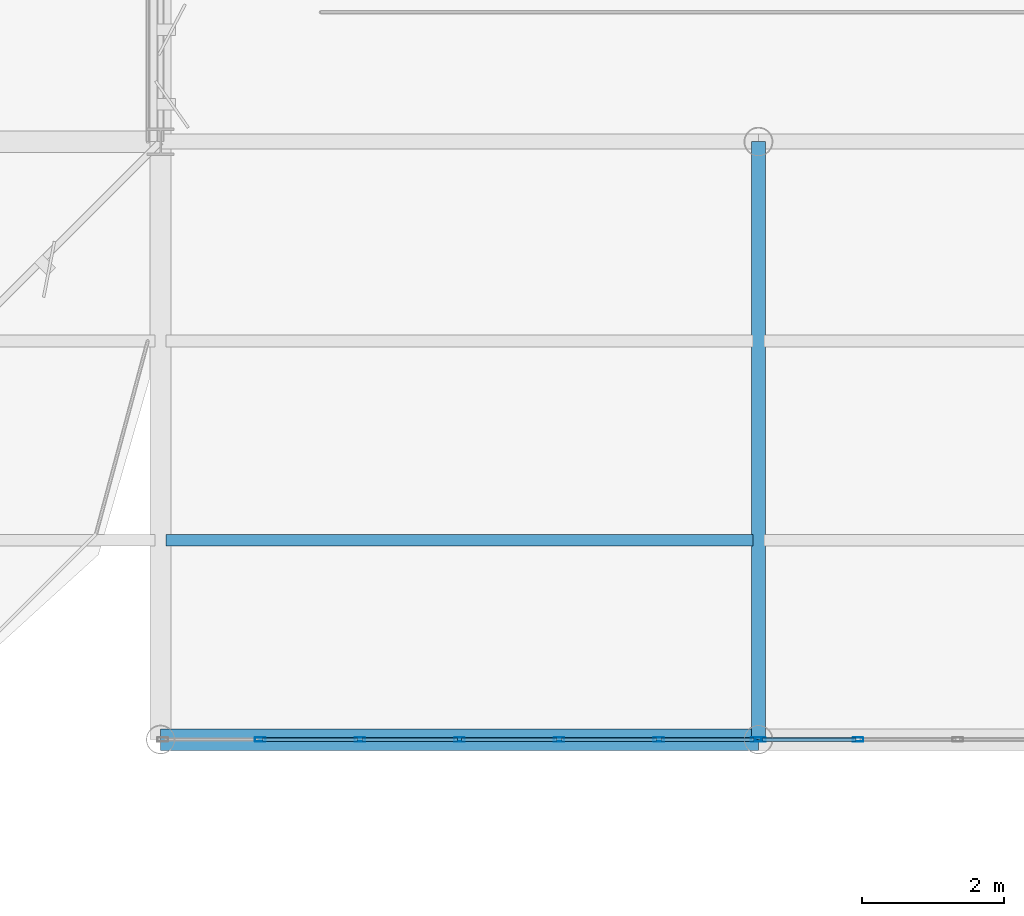
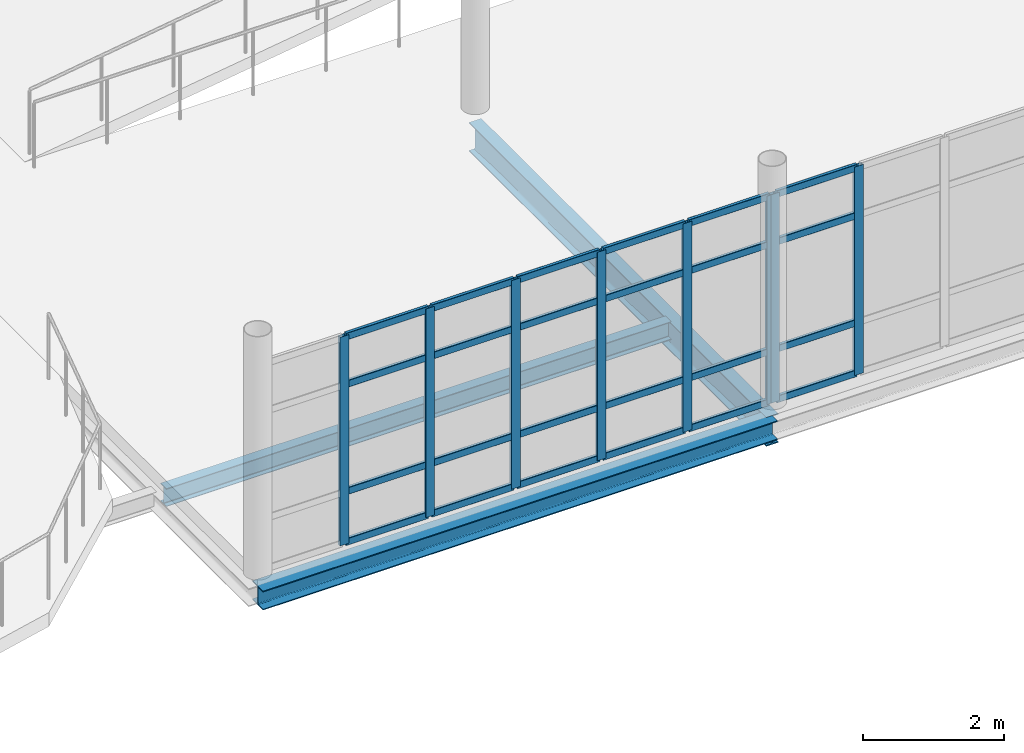
# One storey, part 108 of 163: 32 members, 3 beams, 2 elements without a shape of their own.
"""IFC4 building model written with IfcOpenShell, lengths in metres."""

from ifc_helpers import new_model, si_unit, direction, frame, origin, origin_2d, place, context, subcontext, project, spatial, hollow_rectangle, i_section, extrude, material, layer, layer_set, material_profile, profile_set, type_object, element, aggregate, save


model = new_model("IFC4")

# Units and contexts
model_context = context("Model", 3, precision=1e-05, world=origin(), true_north=direction((0.0, 1.0)))
body_context = subcontext(model_context, "Body", "Model", "MODEL_VIEW")
ifc_project = project(units=[si_unit("LENGTHUNIT", "METRE"), si_unit("AREAUNIT", "SQUARE_METRE"), si_unit("VOLUMEUNIT", "CUBIC_METRE"), si_unit("PLANEANGLEUNIT", "RADIAN"), si_unit("MASSUNIT", "GRAM", prefix="KILO")], contexts=[model_context])

# Site, building, storey
site_placement = place(None, origin())
site = spatial("IfcSite", under=ifc_project, at=site_placement, CompositionType="ELEMENT")
building_placement = place(site_placement, origin())
building = spatial("IfcBuilding", under=site, at=building_placement, Name="Qalvenar Corner Mobility Hub", CompositionType="ELEMENT")
storey_placement = place(building_placement, frame((0.0, 0.0, 4.800048828125)))
storey = spatial("IfcBuildingStorey", under=building, at=storey_placement, Name="L01", CompositionType="ELEMENT", Elevation=4.800048828125)

# Beams
ifc_material_1 = material(Name="Steel S355", Category="steel")
ifc_material_profile_1 = material_profile(ifc_material_1, i_section(OverallWidth=0.199951171875, OverallDepth=0.5, WebThickness=0.01025390625, FlangeThickness=0.01611328125, FilletRadius=0.02099609375, at=origin_2d()), Name="IPE500")
ifc_profile_set_1 = profile_set([ifc_material_profile_1], Name="Steel S355")
beam_type_1 = type_object("IfcBeamType", Name="BM-IPE500", PredefinedType="BEAM", material=ifc_profile_set_1)
beam_1_placement = place(storey_placement, frame((151.199951171875, 67.199951171875, -0.489990234375), z_axis=(0.0, 1.0, 0.0), x_axis=(-1.0, 0.0, 0.0)))
element("IfcBeam", 1, at=beam_1_placement, inside=storey, type_object=beam_type_1, Name="Primary Steel Girder GY-1484", PredefinedType="BEAM", context=body_context, shape_type="SweptSolid", body=[
    extrude(i_section(OverallWidth=0.199951171875, OverallDepth=0.5, WebThickness=0.01025390625, FlangeThickness=0.01611328125, FilletRadius=0.02099609375, at=origin_2d()), origin(), (0.0, 0.0, 1.0), 8.400146484375),
])
ifc_material_profile_2 = material_profile(ifc_material_1, i_section(OverallWidth=0.1650390625, OverallDepth=0.31005859375, WebThickness=0.005859375, FlangeThickness=0.009765625, FilletRadius=0.011962890625, at=origin_2d()), Name="W310x38.7")
ifc_profile_set_2 = profile_set([ifc_material_profile_2], Name="Steel S355")
beam_type_2 = type_object("IfcBeamType", Name="BM-JST310", PredefinedType="JOIST", material=ifc_profile_set_2)
beam_2_placement = place(storey_placement, frame((142.8779296875, 70.0, -0.39501953125), z_axis=(1.0, 0.0, 0.0), x_axis=(0.0, 1.0, 0.0)))
element("IfcBeam", 2, at=beam_2_placement, inside=storey, type_object=beam_type_2, Name="Composite Floor Joist J-1502", PredefinedType="JOIST", context=body_context, shape_type="SweptSolid", body=[
    extrude(i_section(OverallWidth=0.1650390625, OverallDepth=0.31005859375, WebThickness=0.005859375, FlangeThickness=0.009765625, FilletRadius=0.011962890625, at=origin_2d()), origin(), (0.0, 0.0, 1.0), 8.244140625),
])
ifc_material_profile_3 = material_profile(ifc_material_1, i_section(OverallWidth=0.300048828125, OverallDepth=0.330078125, WebThickness=0.009521484375, FlangeThickness=0.0166015625, FilletRadius=0.027099609375, at=origin_2d()), Name="HEA340")
ifc_profile_set_3 = profile_set([ifc_material_profile_3], Name="Steel S355")
beam_type_3 = type_object("IfcBeamType", Name="BM-SPN340", PredefinedType="SPANDREL", material=ifc_profile_set_3)
beam_3_placement = place(storey_placement, frame((142.800048828125, 67.199951171875, -0.405029296875), z_axis=(1.0, 0.0, 0.0), x_axis=(0.0, 1.0, 0.0)))
element("IfcBeam", 3, at=beam_3_placement, inside=storey, type_object=beam_type_3, Name="Primary Steel Girder GX-1466", PredefinedType="SPANDREL", context=body_context, shape_type="SweptSolid", body=[
    extrude(i_section(OverallWidth=0.300048828125, OverallDepth=0.330078125, WebThickness=0.009521484375, FlangeThickness=0.0166015625, FilletRadius=0.027099609375, at=origin_2d()), origin(), (0.0, 0.0, 1.0), 8.39990234375),
])

# Curtain wall, members
ifc_material_2 = material(Name="Anodised Aluminium and Low-E Glazing", Category="aluminium")
ifc_layer = layer(ifc_material_2, 0.1201171875)
ifc_layer_set = layer_set([ifc_layer], Name="Anodised Aluminium and Low-E Glazing")
curtain_wall_type = type_object("IfcCurtainWallType", Name="CW-STR-42X40", PredefinedType="NOTDEFINED", material=ifc_layer_set)
curtain_wall_1_placement = place(storey_placement, origin())
curtain_wall_1 = element("IfcCurtainWall", 4, at=curtain_wall_1_placement, inside=storey, type_object=curtain_wall_type, Name="Glazed Curtain Wall CW-V2-L01-S0", PredefinedType="NOTDEFINED")
ifc_material_3 = material(Name="Anodised Aluminium 6063-T6", Category="aluminium")
ifc_material_profile_4 = material_profile(ifc_material_3, hollow_rectangle(XDim=0.06005859375, YDim=0.14990234375, WallThickness=0.00390625, InnerFilletRadius=0.00390625, OuterFilletRadius=0.008056640625, at=origin_2d()), Name="RHS150x60x4")
ifc_profile_set_4 = profile_set([ifc_material_profile_4], Name="Anodised Aluminium 6063-T6")
member_type_1 = type_object("IfcMemberType", Name="CW-MUL150", PredefinedType="MULLION", material=ifc_profile_set_4)
member_1_placement = place(storey_placement, frame((144.199951171875, 67.199951171875, 0.0), z_axis=(0.0, 0.0, 1.0), x_axis=(0.0, 1.0, 0.0)))
member_1 = element("IfcMember", 5, at=member_1_placement, type_object=member_type_1, Name="CW-10 mullion 2", PredefinedType="MULLION", context=body_context, shape_type="SweptSolid", body=[
    extrude(hollow_rectangle(XDim=0.06005859375, YDim=0.14990234375, WallThickness=0.00390625, InnerFilletRadius=0.00390625, OuterFilletRadius=0.008056640625, at=origin_2d()), origin(), (0.0, 0.0, 1.0), 3.599853515625),
])
member_2_placement = place(storey_placement, frame((145.60009765625, 67.199951171875, 0.0), z_axis=(0.0, 0.0, 1.0), x_axis=(0.0, 1.0, 0.0)))
member_2 = element("IfcMember", 6, at=member_2_placement, type_object=member_type_1, Name="CW-10 mullion 3", PredefinedType="MULLION", context=body_context, shape_type="SweptSolid", body=[
    extrude(hollow_rectangle(XDim=0.06005859375, YDim=0.14990234375, WallThickness=0.00390625, InnerFilletRadius=0.00390625, OuterFilletRadius=0.008056640625, at=origin_2d()), origin(), (0.0, 0.0, 1.0), 3.599853515625),
])
member_3_placement = place(storey_placement, frame((147.0, 67.199951171875, 0.0), z_axis=(0.0, 0.0, 1.0), x_axis=(0.0, 1.0, 0.0)))
member_3 = element("IfcMember", 7, at=member_3_placement, type_object=member_type_1, Name="CW-10 mullion 4", PredefinedType="MULLION", context=body_context, shape_type="SweptSolid", body=[
    extrude(hollow_rectangle(XDim=0.06005859375, YDim=0.14990234375, WallThickness=0.00390625, InnerFilletRadius=0.00390625, OuterFilletRadius=0.008056640625, at=origin_2d()), origin(), (0.0, 0.0, 1.0), 3.599853515625),
])
member_4_placement = place(storey_placement, frame((148.39990234375, 67.199951171875, 0.0), z_axis=(0.0, 0.0, 1.0), x_axis=(0.0, 1.0, 0.0)))
member_4 = element("IfcMember", 8, at=member_4_placement, type_object=member_type_1, Name="CW-10 mullion 5", PredefinedType="MULLION", context=body_context, shape_type="SweptSolid", body=[
    extrude(hollow_rectangle(XDim=0.06005859375, YDim=0.14990234375, WallThickness=0.00390625, InnerFilletRadius=0.00390625, OuterFilletRadius=0.008056640625, at=origin_2d()), origin(), (0.0, 0.0, 1.0), 3.599853515625),
])
member_5_placement = place(storey_placement, frame((149.800048828125, 67.199951171875, 0.0), z_axis=(0.0, 0.0, 1.0), x_axis=(0.0, 1.0, 0.0)))
member_5 = element("IfcMember", 9, at=member_5_placement, type_object=member_type_1, Name="CW-10 mullion 6", PredefinedType="MULLION", context=body_context, shape_type="SweptSolid", body=[
    extrude(hollow_rectangle(XDim=0.06005859375, YDim=0.14990234375, WallThickness=0.00390625, InnerFilletRadius=0.00390625, OuterFilletRadius=0.008056640625, at=origin_2d()), origin(), (0.0, 0.0, 1.0), 3.599853515625),
])
member_6_placement = place(storey_placement, frame((151.169921875, 67.199951171875, 0.0), z_axis=(0.0, 0.0, 1.0), x_axis=(0.0, 1.0, 0.0)))
member_6 = element("IfcMember", 10, at=member_6_placement, type_object=member_type_1, Name="CW-10 mullion 7", PredefinedType="MULLION", context=body_context, shape_type="SweptSolid", body=[
    extrude(hollow_rectangle(XDim=0.06005859375, YDim=0.14990234375, WallThickness=0.00390625, InnerFilletRadius=0.00390625, OuterFilletRadius=0.008056640625, at=origin_2d()), origin(), (0.0, 0.0, 1.0), 3.599853515625),
])

curtain_wall_2_placement = place(storey_placement, origin())
curtain_wall_2 = element("IfcCurtainWall", 11, at=curtain_wall_2_placement, inside=storey, type_object=curtain_wall_type, Name="Glazed Curtain Wall CW-V2-L01-S1", PredefinedType="NOTDEFINED")
member_7_placement = place(storey_placement, frame((151.22998046875, 67.199951171875, 0.0), z_axis=(0.0, 0.0, 1.0), x_axis=(0.0, 1.0, 0.0)))
member_7 = element("IfcMember", 12, at=member_7_placement, type_object=member_type_1, Name="CW-10 mullion 1", PredefinedType="MULLION", context=body_context, shape_type="SweptSolid", body=[
    extrude(hollow_rectangle(XDim=0.06005859375, YDim=0.14990234375, WallThickness=0.00390625, InnerFilletRadius=0.00390625, OuterFilletRadius=0.008056640625, at=origin_2d()), origin(), (0.0, 0.0, 1.0), 3.599853515625),
])
member_8_placement = place(storey_placement, frame((152.60009765625, 67.199951171875, 0.0), z_axis=(0.0, 0.0, 1.0), x_axis=(0.0, 1.0, 0.0)))
member_8 = element("IfcMember", 13, at=member_8_placement, type_object=member_type_1, Name="CW-10 mullion 2", PredefinedType="MULLION", context=body_context, shape_type="SweptSolid", body=[
    extrude(hollow_rectangle(XDim=0.06005859375, YDim=0.14990234375, WallThickness=0.00390625, InnerFilletRadius=0.00390625, OuterFilletRadius=0.008056640625, at=origin_2d()), origin(), (0.0, 0.0, 1.0), 3.599853515625),
])

# Member
ifc_material_profile_5 = material_profile(ifc_material_3, hollow_rectangle(XDim=0.054931640625, YDim=0.1201171875, WallThickness=0.00341796875, InnerFilletRadius=0.00341796875, OuterFilletRadius=0.007080078125, at=origin_2d()), Name="RHS120x55x3.5")
ifc_profile_set_5 = profile_set([ifc_material_profile_5], Name="Anodised Aluminium 6063-T6")
member_type_2 = type_object("IfcMemberType", Name="CW-TRN120", PredefinedType="USERDEFINED", material=ifc_profile_set_5)
member_9_placement = place(storey_placement, frame((144.22998046875, 67.199951171875, 0.02734375), z_axis=(1.0, 0.0, 0.0), x_axis=(0.0, 1.0, 0.0)))
member_9 = element("IfcMember", 14, at=member_9_placement, type_object=member_type_2, Name="CW-10 transom 2.1", ObjectType="TRANSOM", PredefinedType="USERDEFINED", context=body_context, shape_type="SweptSolid", body=[
    extrude(hollow_rectangle(XDim=0.054931640625, YDim=0.1201171875, WallThickness=0.00341796875, InnerFilletRadius=0.00341796875, OuterFilletRadius=0.007080078125, at=origin_2d()), origin(), (0.0, 0.0, 1.0), 1.340087890625),
])

member_10_placement = place(storey_placement, frame((144.22998046875, 67.199951171875, 0.89990234375), z_axis=(1.0, 0.0, 0.0), x_axis=(0.0, 1.0, 0.0)))
member_10 = element("IfcMember", 15, at=member_10_placement, type_object=member_type_2, Name="CW-10 transom 2.2", ObjectType="TRANSOM", PredefinedType="USERDEFINED", context=body_context, shape_type="SweptSolid", body=[
    extrude(hollow_rectangle(XDim=0.054931640625, YDim=0.1201171875, WallThickness=0.00341796875, InnerFilletRadius=0.00341796875, OuterFilletRadius=0.007080078125, at=origin_2d()), origin(), (0.0, 0.0, 1.0), 1.340087890625),
])

member_11_placement = place(storey_placement, frame((144.22998046875, 67.199951171875, 2.75), z_axis=(1.0, 0.0, 0.0), x_axis=(0.0, 1.0, 0.0)))
member_11 = element("IfcMember", 16, at=member_11_placement, type_object=member_type_2, Name="CW-10 transom 2.3", ObjectType="TRANSOM", PredefinedType="USERDEFINED", context=body_context, shape_type="SweptSolid", body=[
    extrude(hollow_rectangle(XDim=0.054931640625, YDim=0.1201171875, WallThickness=0.00341796875, InnerFilletRadius=0.00341796875, OuterFilletRadius=0.007080078125, at=origin_2d()), origin(), (0.0, 0.0, 1.0), 1.340087890625),
])

member_12_placement = place(storey_placement, frame((144.22998046875, 67.199951171875, 3.572509765625), z_axis=(1.0, 0.0, 0.0), x_axis=(0.0, 1.0, 0.0)))
member_12 = element("IfcMember", 17, at=member_12_placement, type_object=member_type_2, Name="CW-10 transom 2.4", ObjectType="TRANSOM", PredefinedType="USERDEFINED", context=body_context, shape_type="SweptSolid", body=[
    extrude(hollow_rectangle(XDim=0.054931640625, YDim=0.1201171875, WallThickness=0.00341796875, InnerFilletRadius=0.00341796875, OuterFilletRadius=0.007080078125, at=origin_2d()), origin(), (0.0, 0.0, 1.0), 1.340087890625),
])

member_13_placement = place(storey_placement, frame((145.6298828125, 67.199951171875, 0.02734375), z_axis=(1.0, 0.0, 0.0), x_axis=(0.0, 1.0, 0.0)))
member_13 = element("IfcMember", 18, at=member_13_placement, type_object=member_type_2, Name="CW-10 transom 3.1", ObjectType="TRANSOM", PredefinedType="USERDEFINED", context=body_context, shape_type="SweptSolid", body=[
    extrude(hollow_rectangle(XDim=0.054931640625, YDim=0.1201171875, WallThickness=0.00341796875, InnerFilletRadius=0.00341796875, OuterFilletRadius=0.007080078125, at=origin_2d()), origin(), (0.0, 0.0, 1.0), 1.340087890625),
])

member_14_placement = place(storey_placement, frame((145.6298828125, 67.199951171875, 0.89990234375), z_axis=(1.0, 0.0, 0.0), x_axis=(0.0, 1.0, 0.0)))
member_14 = element("IfcMember", 19, at=member_14_placement, type_object=member_type_2, Name="CW-10 transom 3.2", ObjectType="TRANSOM", PredefinedType="USERDEFINED", context=body_context, shape_type="SweptSolid", body=[
    extrude(hollow_rectangle(XDim=0.054931640625, YDim=0.1201171875, WallThickness=0.00341796875, InnerFilletRadius=0.00341796875, OuterFilletRadius=0.007080078125, at=origin_2d()), origin(), (0.0, 0.0, 1.0), 1.340087890625),
])

member_15_placement = place(storey_placement, frame((145.6298828125, 67.199951171875, 2.75), z_axis=(1.0, 0.0, 0.0), x_axis=(0.0, 1.0, 0.0)))
member_15 = element("IfcMember", 20, at=member_15_placement, type_object=member_type_2, Name="CW-10 transom 3.3", ObjectType="TRANSOM", PredefinedType="USERDEFINED", context=body_context, shape_type="SweptSolid", body=[
    extrude(hollow_rectangle(XDim=0.054931640625, YDim=0.1201171875, WallThickness=0.00341796875, InnerFilletRadius=0.00341796875, OuterFilletRadius=0.007080078125, at=origin_2d()), origin(), (0.0, 0.0, 1.0), 1.340087890625),
])

member_16_placement = place(storey_placement, frame((145.6298828125, 67.199951171875, 3.572509765625), z_axis=(1.0, 0.0, 0.0), x_axis=(0.0, 1.0, 0.0)))
member_16 = element("IfcMember", 21, at=member_16_placement, type_object=member_type_2, Name="CW-10 transom 3.4", ObjectType="TRANSOM", PredefinedType="USERDEFINED", context=body_context, shape_type="SweptSolid", body=[
    extrude(hollow_rectangle(XDim=0.054931640625, YDim=0.1201171875, WallThickness=0.00341796875, InnerFilletRadius=0.00341796875, OuterFilletRadius=0.007080078125, at=origin_2d()), origin(), (0.0, 0.0, 1.0), 1.340087890625),
])

member_17_placement = place(storey_placement, frame((147.030029296875, 67.199951171875, 0.02734375), z_axis=(1.0, 0.0, 0.0), x_axis=(0.0, 1.0, 0.0)))
member_17 = element("IfcMember", 22, at=member_17_placement, type_object=member_type_2, Name="CW-10 transom 4.1", ObjectType="TRANSOM", PredefinedType="USERDEFINED", context=body_context, shape_type="SweptSolid", body=[
    extrude(hollow_rectangle(XDim=0.054931640625, YDim=0.1201171875, WallThickness=0.00341796875, InnerFilletRadius=0.00341796875, OuterFilletRadius=0.007080078125, at=origin_2d()), origin(), (0.0, 0.0, 1.0), 1.340087890625),
])

member_18_placement = place(storey_placement, frame((147.030029296875, 67.199951171875, 0.89990234375), z_axis=(1.0, 0.0, 0.0), x_axis=(0.0, 1.0, 0.0)))
member_18 = element("IfcMember", 23, at=member_18_placement, type_object=member_type_2, Name="CW-10 transom 4.2", ObjectType="TRANSOM", PredefinedType="USERDEFINED", context=body_context, shape_type="SweptSolid", body=[
    extrude(hollow_rectangle(XDim=0.054931640625, YDim=0.1201171875, WallThickness=0.00341796875, InnerFilletRadius=0.00341796875, OuterFilletRadius=0.007080078125, at=origin_2d()), origin(), (0.0, 0.0, 1.0), 1.340087890625),
])

member_19_placement = place(storey_placement, frame((147.030029296875, 67.199951171875, 2.75), z_axis=(1.0, 0.0, 0.0), x_axis=(0.0, 1.0, 0.0)))
member_19 = element("IfcMember", 24, at=member_19_placement, type_object=member_type_2, Name="CW-10 transom 4.3", ObjectType="TRANSOM", PredefinedType="USERDEFINED", context=body_context, shape_type="SweptSolid", body=[
    extrude(hollow_rectangle(XDim=0.054931640625, YDim=0.1201171875, WallThickness=0.00341796875, InnerFilletRadius=0.00341796875, OuterFilletRadius=0.007080078125, at=origin_2d()), origin(), (0.0, 0.0, 1.0), 1.340087890625),
])

member_20_placement = place(storey_placement, frame((147.030029296875, 67.199951171875, 3.572509765625), z_axis=(1.0, 0.0, 0.0), x_axis=(0.0, 1.0, 0.0)))
member_20 = element("IfcMember", 25, at=member_20_placement, type_object=member_type_2, Name="CW-10 transom 4.4", ObjectType="TRANSOM", PredefinedType="USERDEFINED", context=body_context, shape_type="SweptSolid", body=[
    extrude(hollow_rectangle(XDim=0.054931640625, YDim=0.1201171875, WallThickness=0.00341796875, InnerFilletRadius=0.00341796875, OuterFilletRadius=0.007080078125, at=origin_2d()), origin(), (0.0, 0.0, 1.0), 1.340087890625),
])

member_21_placement = place(storey_placement, frame((148.429931640625, 67.199951171875, 0.02734375), z_axis=(1.0, 0.0, 0.0), x_axis=(0.0, 1.0, 0.0)))
member_21 = element("IfcMember", 26, at=member_21_placement, type_object=member_type_2, Name="CW-10 transom 5.1", ObjectType="TRANSOM", PredefinedType="USERDEFINED", context=body_context, shape_type="SweptSolid", body=[
    extrude(hollow_rectangle(XDim=0.054931640625, YDim=0.1201171875, WallThickness=0.00341796875, InnerFilletRadius=0.00341796875, OuterFilletRadius=0.007080078125, at=origin_2d()), origin(), (0.0, 0.0, 1.0), 1.340087890625),
])

member_22_placement = place(storey_placement, frame((148.429931640625, 67.199951171875, 0.89990234375), z_axis=(1.0, 0.0, 0.0), x_axis=(0.0, 1.0, 0.0)))
member_22 = element("IfcMember", 27, at=member_22_placement, type_object=member_type_2, Name="CW-10 transom 5.2", ObjectType="TRANSOM", PredefinedType="USERDEFINED", context=body_context, shape_type="SweptSolid", body=[
    extrude(hollow_rectangle(XDim=0.054931640625, YDim=0.1201171875, WallThickness=0.00341796875, InnerFilletRadius=0.00341796875, OuterFilletRadius=0.007080078125, at=origin_2d()), origin(), (0.0, 0.0, 1.0), 1.340087890625),
])

member_23_placement = place(storey_placement, frame((148.429931640625, 67.199951171875, 2.75), z_axis=(1.0, 0.0, 0.0), x_axis=(0.0, 1.0, 0.0)))
member_23 = element("IfcMember", 28, at=member_23_placement, type_object=member_type_2, Name="CW-10 transom 5.3", ObjectType="TRANSOM", PredefinedType="USERDEFINED", context=body_context, shape_type="SweptSolid", body=[
    extrude(hollow_rectangle(XDim=0.054931640625, YDim=0.1201171875, WallThickness=0.00341796875, InnerFilletRadius=0.00341796875, OuterFilletRadius=0.007080078125, at=origin_2d()), origin(), (0.0, 0.0, 1.0), 1.340087890625),
])

member_24_placement = place(storey_placement, frame((148.429931640625, 67.199951171875, 3.572509765625), z_axis=(1.0, 0.0, 0.0), x_axis=(0.0, 1.0, 0.0)))
member_24 = element("IfcMember", 29, at=member_24_placement, type_object=member_type_2, Name="CW-10 transom 5.4", ObjectType="TRANSOM", PredefinedType="USERDEFINED", context=body_context, shape_type="SweptSolid", body=[
    extrude(hollow_rectangle(XDim=0.054931640625, YDim=0.1201171875, WallThickness=0.00341796875, InnerFilletRadius=0.00341796875, OuterFilletRadius=0.007080078125, at=origin_2d()), origin(), (0.0, 0.0, 1.0), 1.340087890625),
])

member_25_placement = place(storey_placement, frame((149.830078125, 67.199951171875, 0.02734375), z_axis=(1.0, 0.0, 0.0), x_axis=(0.0, 1.0, 0.0)))
member_25 = element("IfcMember", 30, at=member_25_placement, type_object=member_type_2, Name="CW-10 transom 6.1", ObjectType="TRANSOM", PredefinedType="USERDEFINED", context=body_context, shape_type="SweptSolid", body=[
    extrude(hollow_rectangle(XDim=0.054931640625, YDim=0.1201171875, WallThickness=0.00341796875, InnerFilletRadius=0.00341796875, OuterFilletRadius=0.007080078125, at=origin_2d()), origin(), (0.0, 0.0, 1.0), 1.309814453125),
])

member_26_placement = place(storey_placement, frame((149.830078125, 67.199951171875, 0.89990234375), z_axis=(1.0, 0.0, 0.0), x_axis=(0.0, 1.0, 0.0)))
member_26 = element("IfcMember", 31, at=member_26_placement, type_object=member_type_2, Name="CW-10 transom 6.2", ObjectType="TRANSOM", PredefinedType="USERDEFINED", context=body_context, shape_type="SweptSolid", body=[
    extrude(hollow_rectangle(XDim=0.054931640625, YDim=0.1201171875, WallThickness=0.00341796875, InnerFilletRadius=0.00341796875, OuterFilletRadius=0.007080078125, at=origin_2d()), origin(), (0.0, 0.0, 1.0), 1.309814453125),
])

member_27_placement = place(storey_placement, frame((149.830078125, 67.199951171875, 2.75), z_axis=(1.0, 0.0, 0.0), x_axis=(0.0, 1.0, 0.0)))
member_27 = element("IfcMember", 32, at=member_27_placement, type_object=member_type_2, Name="CW-10 transom 6.3", ObjectType="TRANSOM", PredefinedType="USERDEFINED", context=body_context, shape_type="SweptSolid", body=[
    extrude(hollow_rectangle(XDim=0.054931640625, YDim=0.1201171875, WallThickness=0.00341796875, InnerFilletRadius=0.00341796875, OuterFilletRadius=0.007080078125, at=origin_2d()), origin(), (0.0, 0.0, 1.0), 1.309814453125),
])

member_28_placement = place(storey_placement, frame((149.830078125, 67.199951171875, 3.572509765625), z_axis=(1.0, 0.0, 0.0), x_axis=(0.0, 1.0, 0.0)))
member_28 = element("IfcMember", 33, at=member_28_placement, type_object=member_type_2, Name="CW-10 transom 6.4", ObjectType="TRANSOM", PredefinedType="USERDEFINED", context=body_context, shape_type="SweptSolid", body=[
    extrude(hollow_rectangle(XDim=0.054931640625, YDim=0.1201171875, WallThickness=0.00341796875, InnerFilletRadius=0.00341796875, OuterFilletRadius=0.007080078125, at=origin_2d()), origin(), (0.0, 0.0, 1.0), 1.309814453125),
])

aggregate(curtain_wall_1, [member_1, member_2, member_3, member_4, member_5, member_6, member_9, member_10, member_11, member_12, member_13, member_14, member_15, member_16, member_17, member_18, member_19, member_20, member_21, member_22, member_23, member_24, member_25, member_26, member_27, member_28])

member_29_placement = place(storey_placement, frame((151.260009765625, 67.199951171875, 0.02734375), z_axis=(1.0, 0.0, 0.0), x_axis=(0.0, 1.0, 0.0)))
member_29 = element("IfcMember", 34, at=member_29_placement, type_object=member_type_2, Name="CW-10 transom 1.1", ObjectType="TRANSOM", PredefinedType="USERDEFINED", context=body_context, shape_type="SweptSolid", body=[
    extrude(hollow_rectangle(XDim=0.054931640625, YDim=0.1201171875, WallThickness=0.00341796875, InnerFilletRadius=0.00341796875, OuterFilletRadius=0.007080078125, at=origin_2d()), origin(), (0.0, 0.0, 1.0), 1.31005859375),
])

member_30_placement = place(storey_placement, frame((151.260009765625, 67.199951171875, 0.89990234375), z_axis=(1.0, 0.0, 0.0), x_axis=(0.0, 1.0, 0.0)))
member_30 = element("IfcMember", 35, at=member_30_placement, type_object=member_type_2, Name="CW-10 transom 1.2", ObjectType="TRANSOM", PredefinedType="USERDEFINED", context=body_context, shape_type="SweptSolid", body=[
    extrude(hollow_rectangle(XDim=0.054931640625, YDim=0.1201171875, WallThickness=0.00341796875, InnerFilletRadius=0.00341796875, OuterFilletRadius=0.007080078125, at=origin_2d()), origin(), (0.0, 0.0, 1.0), 1.31005859375),
])

member_31_placement = place(storey_placement, frame((151.260009765625, 67.199951171875, 2.75), z_axis=(1.0, 0.0, 0.0), x_axis=(0.0, 1.0, 0.0)))
member_31 = element("IfcMember", 36, at=member_31_placement, type_object=member_type_2, Name="CW-10 transom 1.3", ObjectType="TRANSOM", PredefinedType="USERDEFINED", context=body_context, shape_type="SweptSolid", body=[
    extrude(hollow_rectangle(XDim=0.054931640625, YDim=0.1201171875, WallThickness=0.00341796875, InnerFilletRadius=0.00341796875, OuterFilletRadius=0.007080078125, at=origin_2d()), origin(), (0.0, 0.0, 1.0), 1.31005859375),
])

member_32_placement = place(storey_placement, frame((151.260009765625, 67.199951171875, 3.572509765625), z_axis=(1.0, 0.0, 0.0), x_axis=(0.0, 1.0, 0.0)))
member_32 = element("IfcMember", 37, at=member_32_placement, type_object=member_type_2, Name="CW-10 transom 1.4", ObjectType="TRANSOM", PredefinedType="USERDEFINED", context=body_context, shape_type="SweptSolid", body=[
    extrude(hollow_rectangle(XDim=0.054931640625, YDim=0.1201171875, WallThickness=0.00341796875, InnerFilletRadius=0.00341796875, OuterFilletRadius=0.007080078125, at=origin_2d()), origin(), (0.0, 0.0, 1.0), 1.31005859375),
])

aggregate(curtain_wall_2, [member_7, member_8, member_29, member_30, member_31, member_32])

save(model, "model.ifc")
